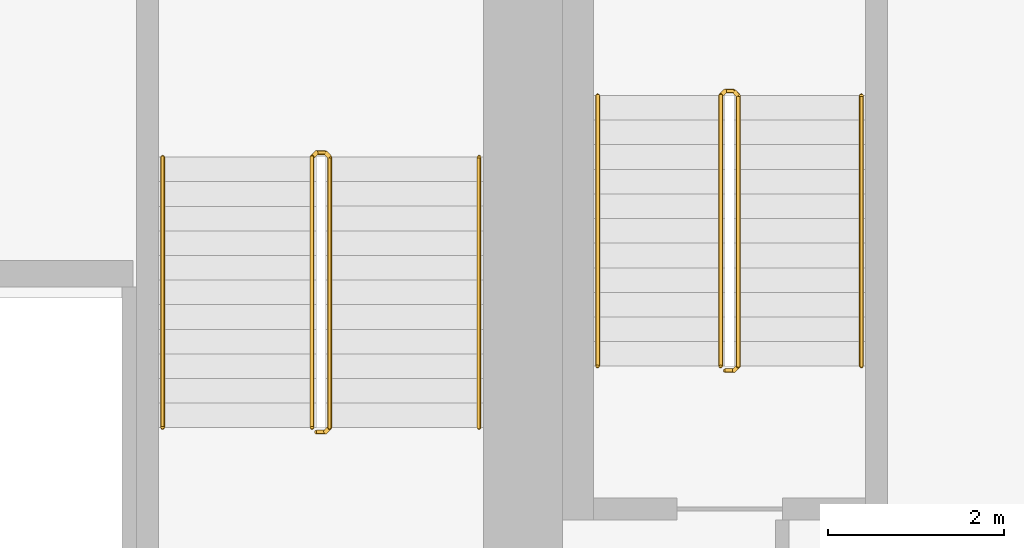
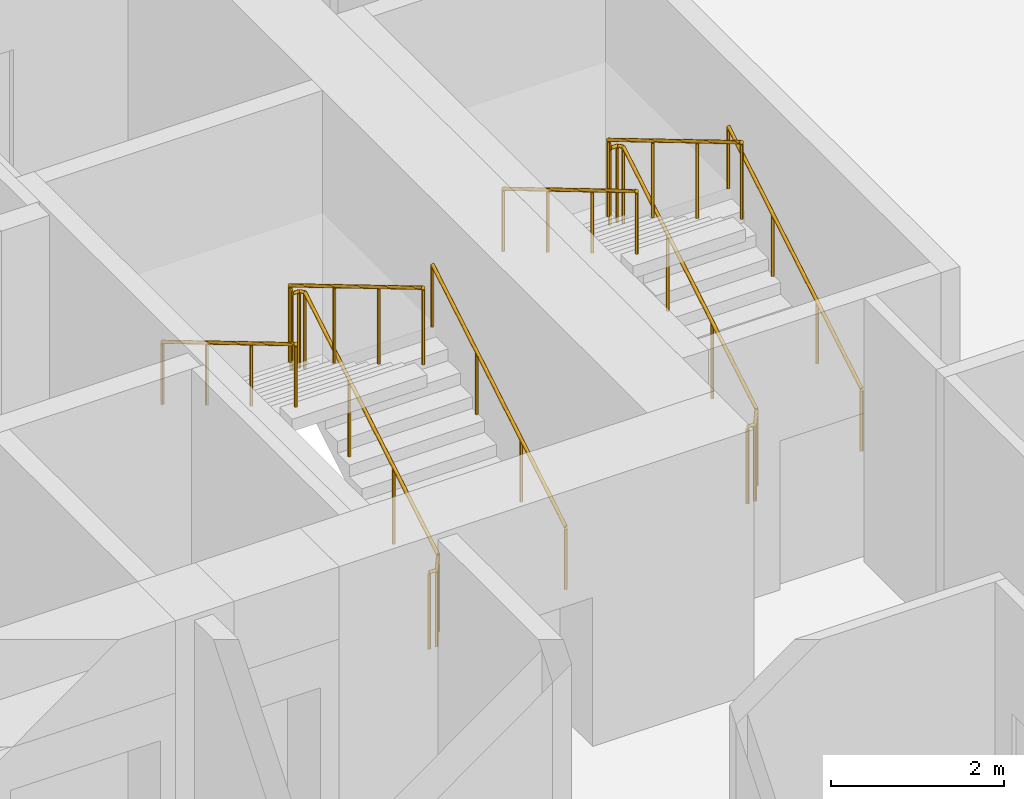
# One storey, part 17 of 17: 6 railings.
"""IFC4 building model written with IfcOpenShell, lengths in metres."""

from ifc_helpers import new_model, si_unit, direction, frame, origin, origin_2d, place, context, subcontext, project, spatial, circle, extrude, material, type_object, element, save


model = new_model("IFC4")

# Units and contexts
model_context = context("Model", 3, precision=1e-05, world=origin(), true_north=direction((0.0, 1.0)))
body_context = subcontext(model_context, "Body", "Model", "MODEL_VIEW")
ifc_project = project(units=[si_unit("LENGTHUNIT", "METRE"), si_unit("AREAUNIT", "SQUARE_METRE"), si_unit("VOLUMEUNIT", "CUBIC_METRE"), si_unit("PLANEANGLEUNIT", "RADIAN"), si_unit("MASSUNIT", "GRAM", prefix="KILO")], contexts=[model_context])

# Site, building, storey
site_placement = place(None, origin())
site = spatial("IfcSite", under=ifc_project, at=site_placement, CompositionType="ELEMENT")
building_placement = place(site_placement, origin())
building = spatial("IfcBuilding", under=site, at=building_placement, Name="Kilnfold Tower and Market Hall", CompositionType="ELEMENT")
storey_placement = place(building_placement, frame((0.0, 0.0, 100.60009765625)))
storey = spatial("IfcBuildingStorey", under=building, at=storey_placement, Name="L23", CompositionType="ELEMENT", Elevation=100.60009765625)

# Railings
ifc_material_1 = material(Name="Stainless steel 316", Category="steel")
railing_type_1 = type_object("IfcRailingType", Name="CORE STAIR GUARD 1100", PredefinedType="GUARDRAIL", material=ifc_material_1)
railing_1_placement = place(storey_placement, frame((15.199951171875, 10.75, 0.0)))
element("IfcRailing", 1, at=railing_1_placement, inside=storey, type_object=railing_type_1, Name="L23 ST2 stair guard 1", PredefinedType="GUARDRAIL", context=body_context, shape_type="SweptSolid", body=[
    extrude(circle(Radius=0.02392578125, at=origin_2d()), frame((0.0, 0.0, 1.076171875), z_axis=(1.0, 0.0, 0.0), x_axis=(0.0, 1.0, 0.0)), (0.0, 0.0, 1.0), 0.10009765625),
    extrude(circle(Radius=0.02392578125, at=origin_2d()), frame((0.10009765625, 0.0, 1.076171875), z_axis=(0.27662974545, 0.27662974545, 0.920299933644), x_axis=(-0.707106781187, 0.707106781187, 0.0)), (0.0, 0.0, 1.0), 0.180908203125),
    extrude(circle(Radius=0.02392578125, at=origin_2d()), frame((0.150146484375, 0.050048828125, 1.24267578125), z_axis=(0.0, 0.859260807169, 0.511537745687), x_axis=(-1.0, 0.0, 0.0)), (0.0, 0.0, 1.0), 3.584228515625),
    extrude(circle(Radius=0.02392578125, at=origin_2d()), frame((0.150146484375, 3.1298828125, 3.076171875), z_axis=(-0.707106781187, 0.707106781187, 0.0), x_axis=(-0.707106781187, -0.707106781187, 0.0)), (0.0, 0.0, 1.0), 0.07080078125),
    extrude(circle(Radius=0.02392578125, at=origin_2d()), frame((0.10009765625, 3.179931640625, 3.076171875), z_axis=(-1.0, 0.0, 0.0), x_axis=(0.0, -1.0, 0.0)), (0.0, 0.0, 1.0), 0.10009765625),
    extrude(circle(Radius=0.02392578125, at=origin_2d()), frame((0.0, 3.179931640625, 3.076171875), z_axis=(-0.27662974545, -0.27662974545, 0.920299933644), x_axis=(0.707106781187, -0.707106781187, 0.0)), (0.0, 0.0, 1.0), 0.180908203125),
    extrude(circle(Radius=0.02392578125, at=origin_2d()), frame((-0.050048828125, 3.1298828125, 3.24267578125), z_axis=(0.0, -0.859260807169, 0.511537745687), x_axis=(1.0, 0.0, 0.0)), (0.0, 0.0, 1.0), 3.584228515625),
    extrude(circle(Radius=0.02099609375, at=origin_2d()), origin(), (0.0, 0.0, 1.0), 1.052001953125),
    extrude(circle(Radius=0.02099609375, at=origin_2d()), frame((0.10009765625, 0.0, 0.0)), (0.0, 0.0, 1.0), 1.052001953125),
    extrude(circle(Radius=0.02099609375, at=origin_2d()), frame((0.150146484375, 0.050048828125, 0.16650390625)), (0.0, 0.0, 1.0), 1.052001953125),
    extrude(circle(Radius=0.02099609375, at=origin_2d()), frame((0.150146484375, 1.07666015625, 0.777587890625)), (0.0, 0.0, 1.0), 1.052001953125),
    extrude(circle(Radius=0.02099609375, at=origin_2d()), frame((0.150146484375, 2.103271484375, 1.388916015625)), (0.0, 0.0, 1.0), 1.052001953125),
    extrude(circle(Radius=0.02099609375, at=origin_2d()), frame((0.150146484375, 3.1298828125, 2.0)), (0.0, 0.0, 1.0), 1.052001953125),
    extrude(circle(Radius=0.02099609375, at=origin_2d()), frame((0.10009765625, 3.179931640625, 2.0)), (0.0, 0.0, 1.0), 1.052001953125),
    extrude(circle(Radius=0.02099609375, at=origin_2d()), frame((0.0, 3.179931640625, 2.0)), (0.0, 0.0, 1.0), 1.052001953125),
    extrude(circle(Radius=0.02099609375, at=origin_2d()), frame((-0.050048828125, 3.1298828125, 2.16650390625)), (0.0, 0.0, 1.0), 1.052001953125),
    extrude(circle(Radius=0.02099609375, at=origin_2d()), frame((-0.050048828125, 2.103271484375, 2.777587890625)), (0.0, 0.0, 1.0), 1.052001953125),
    extrude(circle(Radius=0.02099609375, at=origin_2d()), frame((-0.050048828125, 1.07666015625, 3.388916015625)), (0.0, 0.0, 1.0), 1.052001953125),
    extrude(circle(Radius=0.02099609375, at=origin_2d()), frame((-0.050048828125, 0.050048828125, 4.0)), (0.0, 0.0, 1.0), 1.052001953125),
])
railing_2_placement = place(storey_placement, frame((19.85009765625, 11.449951171875, 0.0)))
element("IfcRailing", 2, at=railing_2_placement, inside=storey, type_object=railing_type_1, Name="L23 ST5 stair guard 1", PredefinedType="GUARDRAIL", context=body_context, shape_type="SweptSolid", body=[
    extrude(circle(Radius=0.02392578125, at=origin_2d()), frame((0.0, 0.0, 1.076171875), z_axis=(1.0, 0.0, 0.0), x_axis=(0.0, 1.0, 0.0)), (0.0, 0.0, 1.0), 0.099853515625),
    extrude(circle(Radius=0.02392578125, at=origin_2d()), frame((0.099853515625, 0.0, 1.076171875), z_axis=(0.27662974545, 0.27662974545, 0.920299933644), x_axis=(-0.707106781187, 0.707106781187, 0.0)), (0.0, 0.0, 1.0), 0.180908203125),
    extrude(circle(Radius=0.02392578125, at=origin_2d()), frame((0.14990234375, 0.050048828125, 1.24267578125), z_axis=(0.0, 0.85927862911, 0.511507807912), x_axis=(-1.0, 0.0, 0.0)), (0.0, 0.0, 1.0), 3.58447265625),
    extrude(circle(Radius=0.02392578125, at=origin_2d()), frame((0.14990234375, 3.130126953125, 3.076171875), z_axis=(-0.708833529934, 0.705375805398, 0.0), x_axis=(-0.705375805398, -0.708833529934, 0.0)), (0.0, 0.0, 1.0), 0.070556640625),
    extrude(circle(Radius=0.02392578125, at=origin_2d()), frame((0.099853515625, 3.179931640625, 3.076171875), z_axis=(-1.0, 0.0, 0.0), x_axis=(0.0, -1.0, 0.0)), (0.0, 0.0, 1.0), 0.099853515625),
    extrude(circle(Radius=0.02392578125, at=origin_2d()), frame((0.0, 3.179931640625, 3.076171875), z_axis=(-0.276732813696, -0.275382897532, 0.920642824102), x_axis=(0.705375805398, -0.708833529934, 0.0)), (0.0, 0.0, 1.0), 0.180908203125),
    extrude(circle(Radius=0.02392578125, at=origin_2d()), frame((-0.050048828125, 3.130126953125, 3.24267578125), z_axis=(0.0, -0.85927862911, 0.511507807912), x_axis=(1.0, 0.0, 0.0)), (0.0, 0.0, 1.0), 3.58447265625),
    extrude(circle(Radius=0.02099609375, at=origin_2d()), origin(), (0.0, 0.0, 1.0), 1.052001953125),
    extrude(circle(Radius=0.02099609375, at=origin_2d()), frame((0.099853515625, 0.0, 0.0)), (0.0, 0.0, 1.0), 1.052001953125),
    extrude(circle(Radius=0.02099609375, at=origin_2d()), frame((0.14990234375, 0.050048828125, 0.16650390625)), (0.0, 0.0, 1.0), 1.052001953125),
    extrude(circle(Radius=0.02099609375, at=origin_2d()), frame((0.14990234375, 1.07666015625, 0.777587890625)), (0.0, 0.0, 1.0), 1.052001953125),
    extrude(circle(Radius=0.02099609375, at=origin_2d()), frame((0.14990234375, 2.103515625, 1.388916015625)), (0.0, 0.0, 1.0), 1.052001953125),
    extrude(circle(Radius=0.02099609375, at=origin_2d()), frame((0.14990234375, 3.130126953125, 2.0)), (0.0, 0.0, 1.0), 1.052001953125),
    extrude(circle(Radius=0.02099609375, at=origin_2d()), frame((0.099853515625, 3.179931640625, 2.0)), (0.0, 0.0, 1.0), 1.052001953125),
    extrude(circle(Radius=0.02099609375, at=origin_2d()), frame((0.0, 3.179931640625, 2.0)), (0.0, 0.0, 1.0), 1.052001953125),
    extrude(circle(Radius=0.02099609375, at=origin_2d()), frame((-0.050048828125, 3.130126953125, 2.16650390625)), (0.0, 0.0, 1.0), 1.052001953125),
    extrude(circle(Radius=0.02099609375, at=origin_2d()), frame((-0.050048828125, 2.103515625, 2.777587890625)), (0.0, 0.0, 1.0), 1.052001953125),
    extrude(circle(Radius=0.02099609375, at=origin_2d()), frame((-0.050048828125, 1.07666015625, 3.388916015625)), (0.0, 0.0, 1.0), 1.052001953125),
    extrude(circle(Radius=0.02099609375, at=origin_2d()), frame((-0.050048828125, 0.050048828125, 4.0)), (0.0, 0.0, 1.0), 1.052001953125),
])
ifc_material_2 = material(Name="Stainless steel 316", Category="steel")
railing_type_2 = type_object("IfcRailingType", Name="CORE STAIR HANDRAIL 900", PredefinedType="HANDRAIL", material=ifc_material_2)
railing_3_placement = place(storey_placement, frame((17.050048828125, 10.800048828125, 0.16650390625)))
element("IfcRailing", 3, at=railing_3_placement, inside=storey, type_object=railing_type_2, Name="L23 ST2 stair handrail 1", PredefinedType="HANDRAIL", context=body_context, shape_type="SweptSolid", body=[
    extrude(circle(Radius=0.02392578125, at=origin_2d()), frame((0.0, 0.0, 0.8759765625), z_axis=(0.0, 0.859260807169, 0.511537745687), x_axis=(-1.0, 0.0, 0.0)), (0.0, 0.0, 1.0), 3.584228515625),
    extrude(circle(Radius=0.02099609375, at=origin_2d()), origin(), (0.0, 0.0, 1.0), 0.851806640625),
    extrude(circle(Radius=0.02099609375, at=origin_2d()), frame((0.0, 1.026611328125, 0.611083984375)), (0.0, 0.0, 1.0), 0.851806640625),
    extrude(circle(Radius=0.02099609375, at=origin_2d()), frame((0.0, 2.05322265625, 1.222412109375)), (0.0, 0.0, 1.0), 0.851806640625),
    extrude(circle(Radius=0.02099609375, at=origin_2d()), frame((0.0, 3.079833984375, 1.83349609375)), (0.0, 0.0, 1.0), 0.851806640625),
])
railing_4_placement = place(storey_placement, frame((13.449951171875, 13.8798828125, 2.16650390625)))
element("IfcRailing", 4, at=railing_4_placement, inside=storey, type_object=railing_type_2, Name="L23 ST2 stair handrail 2", PredefinedType="HANDRAIL", context=body_context, shape_type="SweptSolid", body=[
    extrude(circle(Radius=0.02392578125, at=origin_2d()), frame((0.0, 0.0, 0.8759765625), z_axis=(0.0, -0.859260807169, 0.511537745687), x_axis=(1.0, 0.0, 0.0)), (0.0, 0.0, 1.0), 3.584228515625),
    extrude(circle(Radius=0.02099609375, at=origin_2d()), origin(), (0.0, 0.0, 1.0), 0.851806640625),
    extrude(circle(Radius=0.02099609375, at=origin_2d()), frame((0.0, -1.026611328125, 0.611083984375)), (0.0, 0.0, 1.0), 0.851806640625),
    extrude(circle(Radius=0.02099609375, at=origin_2d()), frame((0.0, -2.05322265625, 1.222412109375)), (0.0, 0.0, 1.0), 0.851806640625),
    extrude(circle(Radius=0.02099609375, at=origin_2d()), frame((0.0, -3.079833984375, 1.83349609375)), (0.0, 0.0, 1.0), 0.851806640625),
])
railing_5_placement = place(storey_placement, frame((21.39990234375, 11.5, 0.16650390625)))
element("IfcRailing", 5, at=railing_5_placement, inside=storey, type_object=railing_type_2, Name="L23 ST5 stair handrail 1", PredefinedType="HANDRAIL", context=body_context, shape_type="SweptSolid", body=[
    extrude(circle(Radius=0.02392578125, at=origin_2d()), frame((0.0, 0.0, 0.8759765625), z_axis=(0.0, 0.85927862911, 0.511507807912), x_axis=(-1.0, 0.0, 0.0)), (0.0, 0.0, 1.0), 3.58447265625),
    extrude(circle(Radius=0.02099609375, at=origin_2d()), origin(), (0.0, 0.0, 1.0), 0.851806640625),
    extrude(circle(Radius=0.02099609375, at=origin_2d()), frame((0.0, 1.026611328125, 0.611083984375)), (0.0, 0.0, 1.0), 0.851806640625),
    extrude(circle(Radius=0.02099609375, at=origin_2d()), frame((0.0, 2.053466796875, 1.222412109375)), (0.0, 0.0, 1.0), 0.851806640625),
    extrude(circle(Radius=0.02099609375, at=origin_2d()), frame((0.0, 3.080078125, 1.83349609375)), (0.0, 0.0, 1.0), 0.851806640625),
])
railing_6_placement = place(storey_placement, frame((18.39990234375, 14.580078125, 2.16650390625)))
element("IfcRailing", 6, at=railing_6_placement, inside=storey, type_object=railing_type_2, Name="L23 ST5 stair handrail 2", PredefinedType="HANDRAIL", context=body_context, shape_type="SweptSolid", body=[
    extrude(circle(Radius=0.02392578125, at=origin_2d()), frame((0.0, 0.0, 0.8759765625), z_axis=(0.0, -0.85927862911, 0.511507807912), x_axis=(1.0, 0.0, 0.0)), (0.0, 0.0, 1.0), 3.58447265625),
    extrude(circle(Radius=0.02099609375, at=origin_2d()), origin(), (0.0, 0.0, 1.0), 0.851806640625),
    extrude(circle(Radius=0.02099609375, at=origin_2d()), frame((0.0, -1.026611328125, 0.611083984375)), (0.0, 0.0, 1.0), 0.851806640625),
    extrude(circle(Radius=0.02099609375, at=origin_2d()), frame((0.0, -2.053466796875, 1.222412109375)), (0.0, 0.0, 1.0), 0.851806640625),
    extrude(circle(Radius=0.02099609375, at=origin_2d()), frame((0.0, -3.080078125, 1.83349609375)), (0.0, 0.0, 1.0), 0.851806640625),
])

save(model, "model.ifc")
